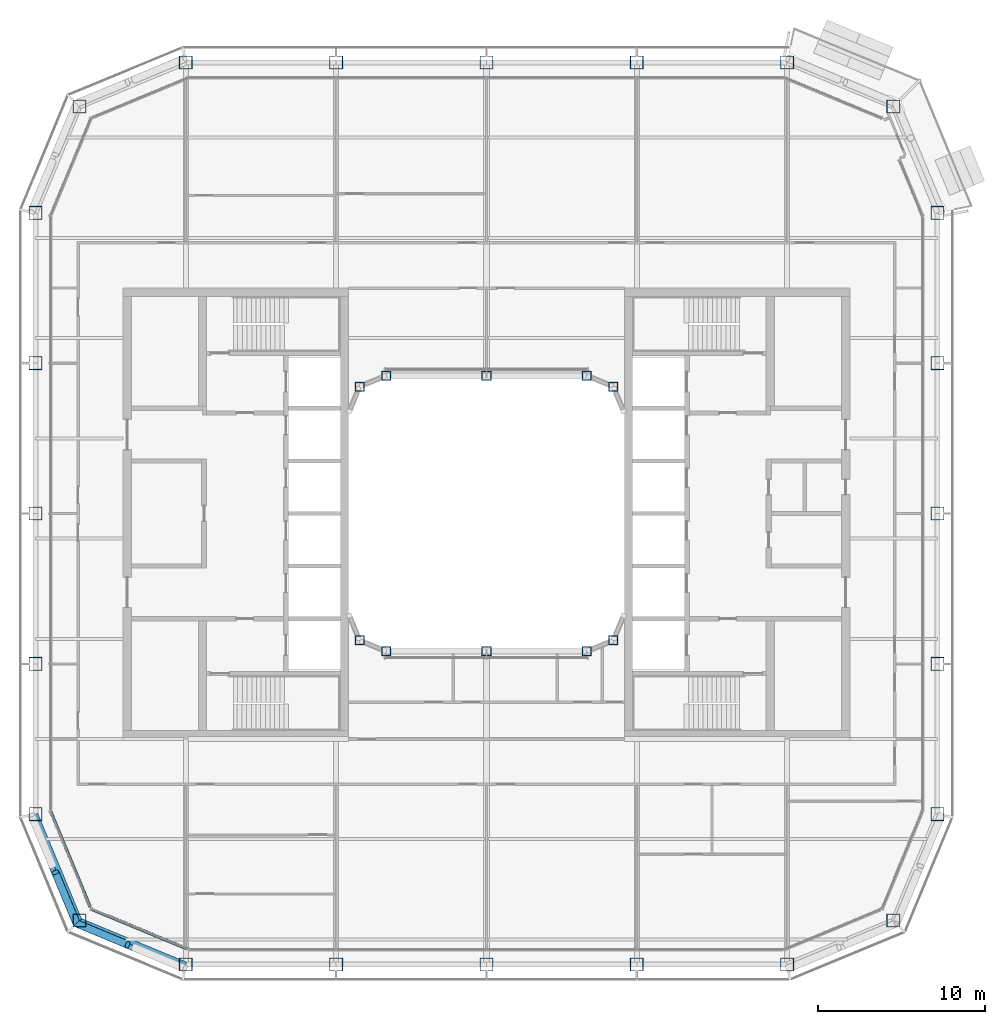
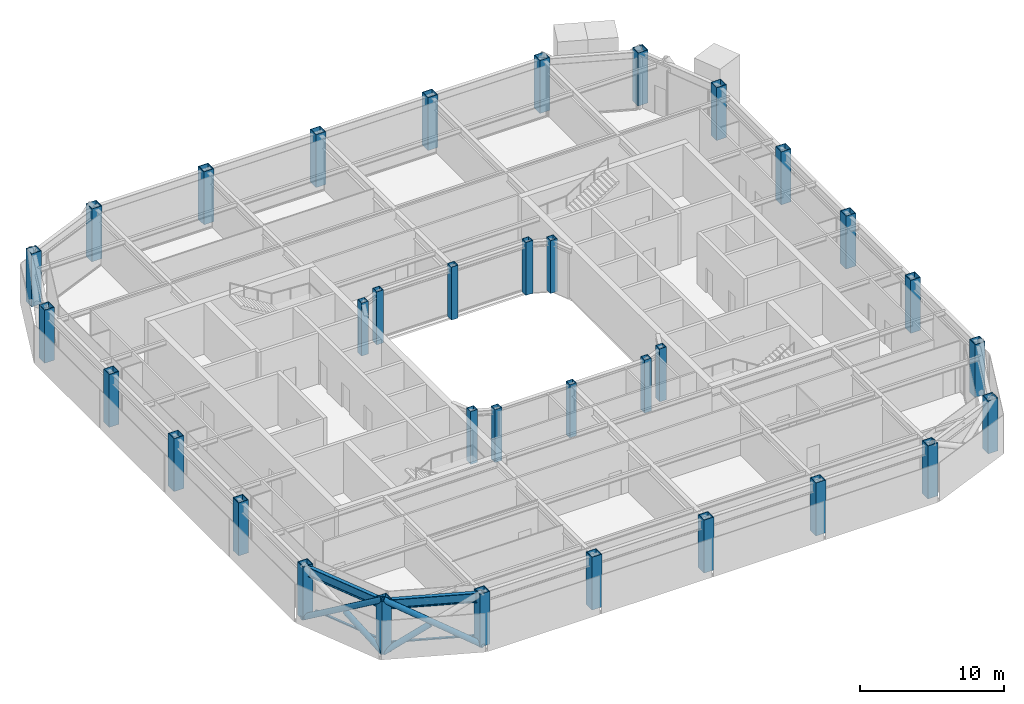
# One storey, part 1 of 23: 34 columns, 6 members, 2 beams, 2 elements without a shape of their own.
"""IFC4 building model written with IfcOpenShell, lengths in metres."""

from ifc_helpers import new_model, si_unit, direction, frame, origin, origin_2d, place, context, subcontext, project, spatial, rectangle, hollow_rectangle, hollow_circle, i_section, extrude, material, layer, layer_set, material_profile, profile_set, type_object, element, aggregate, save


model = new_model("IFC4")

# Units and contexts
model_context = context("Model", 3, precision=1e-05, world=origin(), true_north=direction((0.0, 1.0)))
body_context = subcontext(model_context, "Body", "Model", "MODEL_VIEW")
ifc_project = project(units=[si_unit("LENGTHUNIT", "METRE"), si_unit("AREAUNIT", "SQUARE_METRE"), si_unit("VOLUMEUNIT", "CUBIC_METRE"), si_unit("PLANEANGLEUNIT", "RADIAN"), si_unit("MASSUNIT", "GRAM", prefix="KILO")], contexts=[model_context])

# Site, building, storey
site_placement = place(None, origin())
site = spatial("IfcSite", under=ifc_project, at=site_placement, CompositionType="ELEMENT")
building_placement = place(site_placement, origin())
building = spatial("IfcBuilding", under=site, at=building_placement, Name="Siwar Civic Tower", CompositionType="ELEMENT")
storey_placement = place(building_placement, frame((0.0, 0.0, 260.199951171875)))
storey = spatial("IfcBuildingStorey", under=building, at=storey_placement, Name="L56", CompositionType="ELEMENT", Elevation=260.199951171875)

# Columns
ifc_material_1 = material(Name="Steel S355", Category="steel")
ifc_material_profile_1 = material_profile(ifc_material_1, hollow_rectangle(XDim=0.800048828125, YDim=0.800048828125, WallThickness=0.044921875, at=origin_2d()), Name="BOX800x800x45")
ifc_profile_set_1 = profile_set([ifc_material_profile_1], Name="Steel S355")
column_type_1 = type_object("IfcColumnType", Name="STR-COL-BOX800x800x45", PredefinedType="COLUMN", material=ifc_profile_set_1)
for number, where, z_axis, x_axis, name in (
    (1, (-18.0, -27.0, 0.0), (0.0, 0.0, 1.0), (1.0, 0.0, 0.0), "L56/col/S-0"),
    (2, (-9.0, -27.0, 0.0), (0.0, 0.0, 1.0), (1.0, 0.0, 0.0), "L56/col/S-1"),
    (3, (0.0, -27.0, 0.0), (0.0, 0.0, 1.0), (1.0, 0.0, 0.0), "L56/col/S-2"),
    (4, (9.0, -27.0, 0.0), (0.0, 0.0, 1.0), (1.0, 0.0, 0.0), "L56/col/S-3"),
    (5, (18.0, -27.0, 0.0), (0.0, 0.0, 1.0), (1.0, 0.0, 0.0), "L56/col/SE1-0"),
    (6, (24.364013671875, -24.364013671875, 0.0), (0.0, 0.0, 1.0), (1.0, 0.0, 0.0), "L56/col/SE2-0"),
    (7, (27.0, -18.0, 0.0), (0.0, 0.0, 1.0), (1.0, 0.0, 0.0), "L56/col/E-0"),
    (8, (27.0, -9.0, 0.0), (0.0, 0.0, 1.0), (1.0, 0.0, 0.0), "L56/col/E-1"),
    (9, (27.0, 0.0, 0.0), (0.0, 0.0, 1.0), (1.0, 0.0, 0.0), "L56/col/E-2"),
    (10, (27.0, 9.0, 0.0), (0.0, 0.0, 1.0), (1.0, 0.0, 0.0), "L56/col/E-3"),
    (11, (27.0, 18.0, 0.0), (0.0, 0.0, 1.0), (1.0, 0.0, 0.0), "L56/col/NE1-0"),
    (12, (24.364013671875, 24.364013671875, 0.0), (0.0, 0.0, 1.0), (1.0, 0.0, 0.0), "L56/col/NE2-0"),
    (13, (18.0, 27.0, 0.0), (0.0, 0.0, 1.0), (1.0, 0.0, 0.0), "L56/col/N-0"),
    (14, (9.0, 27.0, 0.0), (0.0, 0.0, 1.0), (1.0, 0.0, 0.0), "L56/col/N-1"),
    (15, (0.0, 27.0, 0.0), (0.0, 0.0, 1.0), (1.0, 0.0, 0.0), "L56/col/N-2"),
    (16, (-9.0, 27.0, 0.0), (0.0, 0.0, 1.0), (1.0, 0.0, 0.0), "L56/col/N-3"),
    (17, (-18.0, 27.0, 0.0), (0.0, 0.0, 1.0), (1.0, 0.0, 0.0), "L56/col/NW1-0"),
    (18, (-24.364013671875, 24.364013671875, 0.0), (0.0, 0.0, 1.0), (1.0, 0.0, 0.0), "L56/col/NW2-0"),
    (19, (-27.0, 18.0, 0.0), (0.0, 0.0, 1.0), (1.0, 0.0, 0.0), "L56/col/W-0"),
    (20, (-27.0, 9.0, 0.0), (0.0, 0.0, 1.0), (1.0, 0.0, 0.0), "L56/col/W-1"),
    (21, (-27.0, 0.0, 0.0), (0.0, 0.0, 1.0), (1.0, 0.0, 0.0), "L56/col/W-2"),
    (22, (-27.0, -9.0, 0.0), (0.0, 0.0, 1.0), (1.0, 0.0, 0.0), "L56/col/W-3"),
    (23, (-27.0, -18.0, 0.0), (0.0, 0.0, 1.0), (1.0, 0.0, 0.0), "L56/col/SW1-0"),
    (24, (-24.364013671875, -24.364013671875, 0.0), (0.0, 0.0, 1.0), (1.0, 0.0, 0.0), "L56/col/SW2-0"),
):
    element("IfcColumn", number, at=place(storey_placement, frame(where, z_axis=z_axis, x_axis=x_axis)), inside=storey, type_object=column_type_1, Name=name, PredefinedType="COLUMN", context=body_context, shape_type="SweptSolid", body=[
        extrude(hollow_rectangle(XDim=0.800048828125, YDim=0.800048828125, WallThickness=0.044921875, at=origin_2d()), origin(), (0.0, 0.0, 1.0), 4.5),
    ])
ifc_material_2 = material(Name="Steel S355", Category="steel")
ifc_material_profile_2 = material_profile(ifc_material_2, hollow_rectangle(XDim=0.550048828125, YDim=0.550048828125, WallThickness=0.028076171875, at=origin_2d()), Name="BOX550x550x28")
ifc_profile_set_2 = profile_set([ifc_material_profile_2], Name="Steel S355")
column_type_2 = type_object("IfcColumnType", Name="STR-ICOL-BOX550x550x28", PredefinedType="COLUMN", material=ifc_profile_set_2)
for number, where, z_axis, x_axis, name in (
    (25, (-7.591064453125, -7.591064453125, 0.0), (0.0, 0.0, 1.0), (1.0, 0.0, 0.0), "L56/col/IS-0"),
    (26, (-6.0, -8.25, 0.0), (0.0, 0.0, 1.0), (1.0, 0.0, 0.0), "L56/col/IS-1"),
    (27, (0.0, -8.25, 0.0), (0.0, 0.0, 1.0), (1.0, 0.0, 0.0), "L56/col/IS-2"),
    (28, (6.0, -8.25, 0.0), (0.0, 0.0, 1.0), (1.0, 0.0, 0.0), "L56/col/IS-3"),
    (29, (7.591064453125, -7.591064453125, 0.0), (0.0, 0.0, 1.0), (1.0, 0.0, 0.0), "L56/col/IS-4"),
    (30, (-7.591064453125, 7.591064453125, 0.0), (0.0, 0.0, 1.0), (1.0, 0.0, 0.0), "L56/col/IN-0"),
    (31, (-6.0, 8.25, 0.0), (0.0, 0.0, 1.0), (1.0, 0.0, 0.0), "L56/col/IN-1"),
    (32, (0.0, 8.25, 0.0), (0.0, 0.0, 1.0), (1.0, 0.0, 0.0), "L56/col/IN-2"),
    (33, (6.0, 8.25, 0.0), (0.0, 0.0, 1.0), (1.0, 0.0, 0.0), "L56/col/IN-3"),
    (34, (7.591064453125, 7.591064453125, 0.0), (0.0, 0.0, 1.0), (1.0, 0.0, 0.0), "L56/col/IN-4"),
):
    element("IfcColumn", number, at=place(storey_placement, frame(where, z_axis=z_axis, x_axis=x_axis)), inside=storey, type_object=column_type_2, Name=name, PredefinedType="COLUMN", context=body_context, shape_type="SweptSolid", body=[
        extrude(hollow_rectangle(XDim=0.550048828125, YDim=0.550048828125, WallThickness=0.028076171875, at=origin_2d()), origin(), (0.0, 0.0, 1.0), 4.5),
    ])

# Curtain wall, member
ifc_material_3 = material(Name="Aluminium clad insulated panel", Category="aluminium")
ifc_layer = layer(ifc_material_3, 0.179931640625)
ifc_layer_set = layer_set([ifc_layer], Name="Aluminium clad insulated panel")
curtain_wall_type = type_object("IfcCurtainWallType", Name="ENV-CW-CX", PredefinedType="NOTDEFINED", material=ifc_layer_set)
curtain_wall_1_placement = place(storey_placement, origin())
curtain_wall_1 = element("IfcCurtainWall", 35, at=curtain_wall_1_placement, inside=storey, type_object=curtain_wall_type, Name="Curtain wall C SW1", PredefinedType="NOTDEFINED")
ifc_material_4 = material(Name="Aluminium 6063-T6", Category="aluminium")
ifc_material_profile_3 = material_profile(ifc_material_4, rectangle(XDim=0.179931640625, YDim=0.10009765625, at=origin_2d()), Name="AL 180x100")
ifc_profile_set_3 = profile_set([ifc_material_profile_3], Name="Aluminium 6063-T6")
member_type_1 = type_object("IfcMemberType", Name="ENV-TRANSOM-C", PredefinedType="USERDEFINED", material=ifc_profile_set_3)
member_1_placement = place(storey_placement, frame((-26.088623046875, -17.8486328125, 0.050048828125), z_axis=(0.38267744817, -0.923882011223, 0.0), x_axis=(0.923882011223, 0.38267744817, 0.0)))
member_1 = element("IfcMember", 36, at=member_1_placement, type_object=member_type_1, Name="Transom C SW1 1", ObjectType="TRANSOM", PredefinedType="USERDEFINED", context=body_context, shape_type="SweptSolid", body=[
    extrude(rectangle(XDim=0.179931640625, YDim=0.10009765625, at=origin_2d()), origin(), (0.0, 0.0, 1.0), 6.201904296875),
])
aggregate(curtain_wall_1, [member_1])

curtain_wall_2_placement = place(storey_placement, origin())
curtain_wall_2 = element("IfcCurtainWall", 37, at=curtain_wall_2_placement, inside=storey, type_object=curtain_wall_type, Name="Curtain wall C SW2", PredefinedType="NOTDEFINED")
member_2_placement = place(storey_placement, frame((-23.6474609375, -23.6865234375, 0.050048828125), z_axis=(0.923876246063, -0.382691366456, 0.0), x_axis=(0.382691366456, 0.923876246063, 0.0)))
member_2 = element("IfcMember", 38, at=member_2_placement, type_object=member_type_1, Name="Transom C SW2 1", ObjectType="TRANSOM", PredefinedType="USERDEFINED", context=body_context, shape_type="SweptSolid", body=[
    extrude(rectangle(XDim=0.179931640625, YDim=0.10009765625, at=origin_2d()), origin(), (0.0, 0.0, 1.0), 6.20166015625),
])
aggregate(curtain_wall_2, [member_2])

# Members
ifc_material_5 = material(Name="Steel S355", Category="steel")
ifc_material_profile_4 = material_profile(ifc_material_5, hollow_circle(Radius=0.228515625, WallThickness=0.02001953125, at=origin_2d()), Name="CHS457x20")
ifc_profile_set_4 = profile_set([ifc_material_profile_4], Name="Steel S355")
member_type_2 = type_object("IfcMemberType", Name="STR-BR-CHS457x20", PredefinedType="BRACE", material=ifc_profile_set_4)
member_3_placement = place(storey_placement, frame((-18.048828125, -27.2451171875, 0.0), z_axis=(-0.777554562952, 0.323905527954, 0.538975055633), x_axis=(-0.384538969033, -0.923108759191, 0.0)))
element("IfcMember", 39, at=member_3_placement, inside=storey, type_object=member_type_2, Name="L56/brc/CSW1-16-0-1", PredefinedType="BRACE", context=body_context, shape_type="SweptSolid", body=[
    extrude(hollow_circle(Radius=0.228515625, WallThickness=0.02001953125, at=origin_2d()), origin(), (0.0, 0.0, 1.0), 8.34912109375),
])
member_4_placement = place(storey_placement, frame((-24.540771484375, -24.540771484375, 0.0), z_axis=(0.777546448489, -0.323884455881, 0.538999424564), x_axis=(0.38452107079, 0.92311621485, 0.0)))
element("IfcMember", 40, at=member_4_placement, inside=storey, type_object=member_type_2, Name="L56/brc/CSW1-16-0-2", PredefinedType="BRACE", context=body_context, shape_type="SweptSolid", body=[
    extrude(hollow_circle(Radius=0.228515625, WallThickness=0.02001953125, at=origin_2d()), origin(), (0.0, 0.0, 1.0), 3.927978515625),
])
member_5_placement = place(storey_placement, frame((-27.2451171875, -18.048828125, 0.0), z_axis=(0.323905527954, -0.777554562952, 0.538975055633), x_axis=(0.923108759191, 0.384538969033, 0.0)))
element("IfcMember", 41, at=member_5_placement, inside=storey, type_object=member_type_2, Name="L56/brc/CSW1-16-0-0", PredefinedType="BRACE", context=body_context, shape_type="SweptSolid", body=[
    extrude(hollow_circle(Radius=0.228515625, WallThickness=0.02001953125, at=origin_2d()), origin(), (0.0, 0.0, 1.0), 8.34912109375),
])
member_6_placement = place(storey_placement, frame((-24.540771484375, -24.540771484375, 0.0), z_axis=(-0.323884455881, 0.777546448489, 0.538999424564), x_axis=(-0.92311621485, -0.38452107079, 0.0)))
element("IfcMember", 42, at=member_6_placement, inside=storey, type_object=member_type_2, Name="L56/brc/CSW1-16-0-4", PredefinedType="BRACE", context=body_context, shape_type="SweptSolid", body=[
    extrude(hollow_circle(Radius=0.228515625, WallThickness=0.02001953125, at=origin_2d()), origin(), (0.0, 0.0, 1.0), 3.927978515625),
])

# Beams
ifc_material_6 = material(Name="Steel S355", Category="steel")
ifc_material_profile_5 = material_profile(ifc_material_6, i_section(OverallWidth=0.300048828125, OverallDepth=0.800048828125, WebThickness=0.017578125, FlangeThickness=0.032958984375, FilletRadius=0.030029296875, at=origin_2d()), Name="HEB800")
ifc_profile_set_5 = profile_set([ifc_material_profile_5], Name="Steel S355")
beam_type = type_object("IfcBeamType", Name="STR-SB-HEB800", PredefinedType="BEAM", material=ifc_profile_set_5)
for number, where, z_axis, x_axis, name in (
    (43, (-27.0, -18.0, 3.949951171875), (0.382674207535, -0.923883353507, 0.0), (0.923883353507, 0.382674207535, 0.0), "L56/bm/SSW1-0"),
    (44, (-24.364013671875, -24.364013671875, 3.949951171875), (0.923883353507, -0.382674207535, 0.0), (0.382674207535, 0.923883353507, 0.0), "L56/bm/SSW2-0"),
):
    element("IfcBeam", number, at=place(storey_placement, frame(where, z_axis=z_axis, x_axis=x_axis)), inside=storey, type_object=beam_type, Name=name, PredefinedType="BEAM", context=body_context, shape_type="SweptSolid", body=[
        extrude(i_section(OverallWidth=0.300048828125, OverallDepth=0.800048828125, WebThickness=0.017578125, FlangeThickness=0.032958984375, FilletRadius=0.030029296875, at=origin_2d()), origin(), (0.0, 0.0, 1.0), 6.888427734375),
    ])

save(model, "model.ifc")
